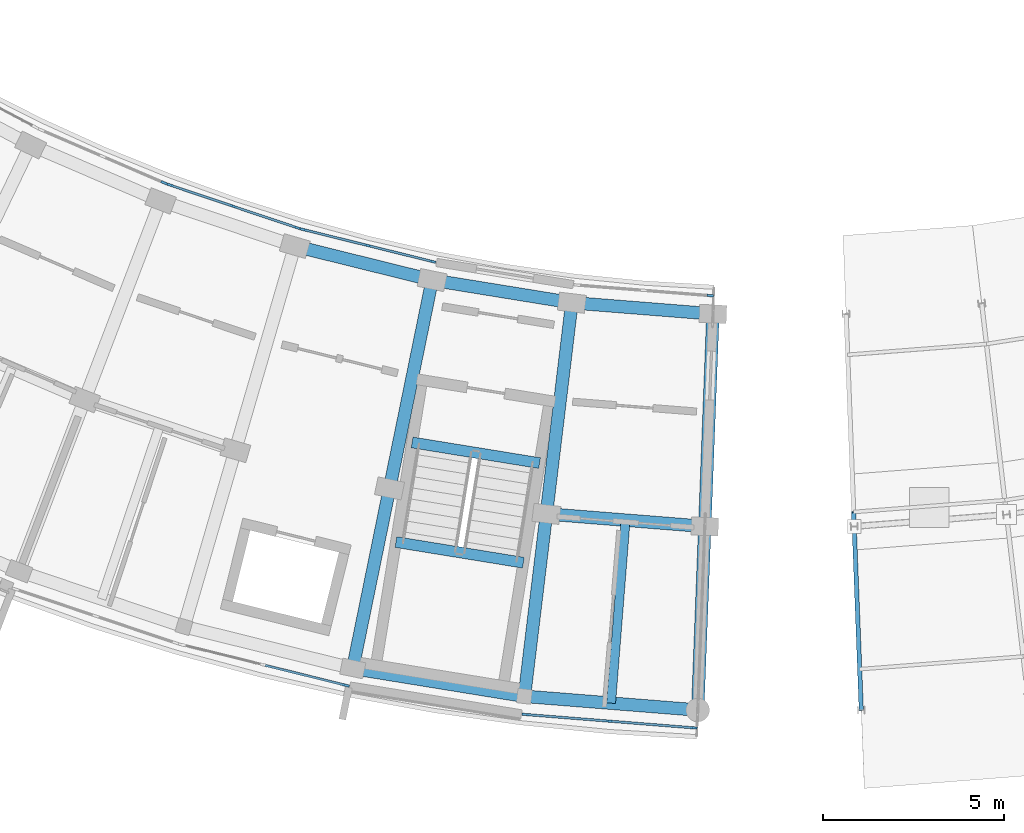
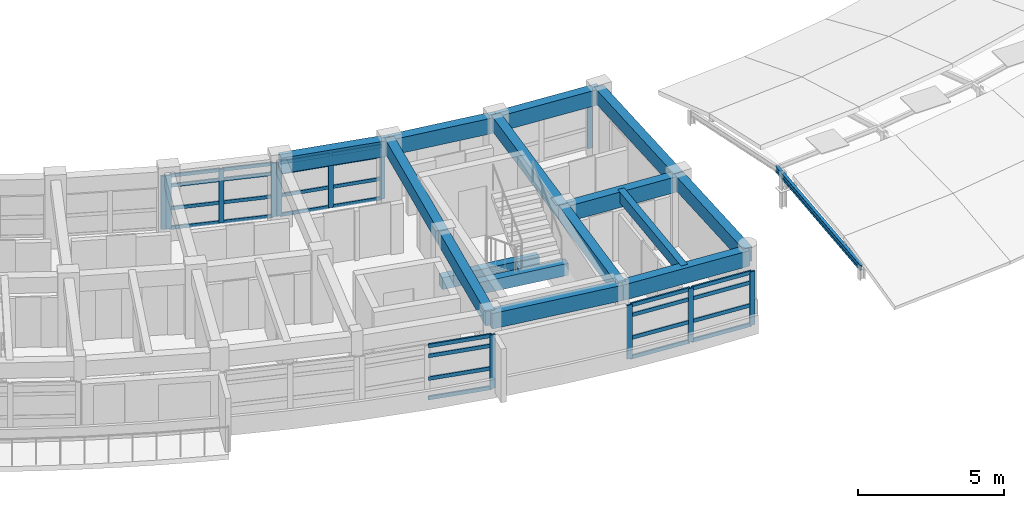
# One storey, part 17 of 50: 40 members, 16 beams, 6 elements without a shape of their own.
"""IFC4 building model written with IfcOpenShell, lengths in metres."""

from ifc_helpers import new_model, si_unit, direction, frame, origin, origin_2d, place, context, subcontext, project, spatial, rectangle, i_section, extrude, material, material_profile, profile_set, type_object, element, aggregate, save


model = new_model("IFC4")

# Units and contexts
model_context = context("Model", 3, precision=1e-05, world=origin(), true_north=direction((0.0, 1.0)))
body_context = subcontext(model_context, "Body", "Model", "MODEL_VIEW")
ifc_project = project(units=[si_unit("LENGTHUNIT", "METRE"), si_unit("AREAUNIT", "SQUARE_METRE"), si_unit("VOLUMEUNIT", "CUBIC_METRE"), si_unit("PLANEANGLEUNIT", "RADIAN"), si_unit("MASSUNIT", "GRAM", prefix="KILO")], contexts=[model_context])

# Site, building, storey
site_placement = place(None, origin())
site = spatial("IfcSite", under=ifc_project, at=site_placement, CompositionType="ELEMENT")
building_placement = place(site_placement, origin())
building = spatial("IfcBuilding", under=site, at=building_placement, Name="Zimvara Arc Housing Community", CompositionType="ELEMENT")
storey_placement = place(building_placement, frame((0.0, 0.0, 26.699951171875)))
storey = spatial("IfcBuildingStorey", under=building, at=storey_placement, Name="L08", CompositionType="ELEMENT", Elevation=26.699951171875)

# Beams
ifc_material_1 = material(Name="Concrete C40/50", Category="concrete")
ifc_material_profile_1 = material_profile(ifc_material_1, rectangle(XDim=0.25, YDim=0.449951171875, at=origin_2d()), Name="RC 250x450")
ifc_profile_set_1 = profile_set([ifc_material_profile_1], Name="Concrete C40/50")
beam_type_1 = type_object("IfcBeamType", Name="BM-RC-250x450", PredefinedType="JOIST", material=ifc_profile_set_1)
beam_1_placement = place(storey_placement, frame((121.72509765625, 56.2734375, 2.655029296875), z_axis=(-0.079171686291, -0.99686099537, 0.0), x_axis=(0.99686099537, -0.079171686291, 0.0)))
element("IfcBeam", 1, at=beam_1_placement, inside=storey, type_object=beam_type_1, Name="bm:blkC:L08:joist:b9", PredefinedType="JOIST", context=body_context, shape_type="SweptSolid", body=[
    extrude(rectangle(XDim=0.25, YDim=0.449951171875, at=origin_2d()), origin(), (0.0, 0.0, 1.0), 5.07568359375),
])
ifc_material_2 = material(Name="Concrete C40/50", Category="concrete")
ifc_material_profile_2 = material_profile(ifc_material_2, rectangle(XDim=0.300048828125, YDim=0.5, at=origin_2d()), Name="RC 300x500")
ifc_profile_set_2 = profile_set([ifc_material_profile_2], Name="Concrete C40/50")
beam_type_2 = type_object("IfcBeamType", Name="BM-RC-300x500", PredefinedType="BEAM", material=ifc_profile_set_2)
for number, where, z_axis, x_axis, name in (
    (2, (115.822265625, 58.423095703125, -0.25), (0.987080057935, -0.160227835371, 0.0), (0.160227835371, 0.987080057935, 0.0), "bm:stair_trim:ST-C2:L08:near"),
    (3, (115.375244140625, 55.6689453125, 1.300048828125), (0.987080057935, -0.160227835371, 0.0), (0.160227835371, 0.987080057935, 0.0), "bm:stair_trim:ST-C2:L08:mid"),
):
    element("IfcBeam", number, at=place(storey_placement, frame(where, z_axis=z_axis, x_axis=x_axis)), inside=storey, type_object=beam_type_2, Name=name, PredefinedType="BEAM", context=body_context, shape_type="SweptSolid", body=[
        extrude(rectangle(XDim=0.300048828125, YDim=0.5, at=origin_2d()), origin(), (0.0, 0.0, 1.0), 3.570068359375),
    ])
ifc_material_3 = material(Name="Concrete C40/50", Category="concrete")
ifc_material_profile_3 = material_profile(ifc_material_3, rectangle(XDim=0.35009765625, YDim=0.60009765625, at=origin_2d()), Name="RC 350x600")
ifc_profile_set_3 = profile_set([ifc_material_profile_3], Name="Concrete C40/50")
beam_type_3 = type_object("IfcBeamType", Name="BM-RC-350x600", PredefinedType="BEAM", material=ifc_profile_set_3)
beam_2_placement = place(storey_placement, frame((116.377197265625, 62.912109375, 2.580078125), z_axis=(-0.200417973989, -0.979710485655, 0.0), x_axis=(0.979710485655, -0.200417973989, 0.0)))
element("IfcBeam", 4, at=beam_2_placement, inside=storey, type_object=beam_type_3, Name="bm:blkC:L08:rad:b8:r12", PredefinedType="BEAM", context=body_context, shape_type="SweptSolid", body=[
    extrude(rectangle(XDim=0.35009765625, YDim=0.60009765625, at=origin_2d()), origin(), (0.0, 0.0, 1.0), 5.880126953125),
])
beam_3_placement = place(storey_placement, frame((115.19873046875, 57.1513671875, 2.580078125), z_axis=(-0.200356397601, -0.979723080233, 0.0), x_axis=(0.979723080233, -0.200356397601, 0.0)))
element("IfcBeam", 5, at=beam_3_placement, inside=storey, type_object=beam_type_3, Name="bm:blkC:L08:rad:b8:r23", PredefinedType="BEAM", context=body_context, shape_type="SweptSolid", body=[
    extrude(rectangle(XDim=0.35009765625, YDim=0.60009765625, at=origin_2d()), origin(), (0.0, 0.0, 1.0), 5.080078125),
])
beam_4_placement = place(storey_placement, frame((120.23974609375, 62.28515625, 2.580078125), z_axis=(-0.119786997154, -0.992799614884, 0.0), x_axis=(0.992799614884, -0.119786997154, 0.0)))
element("IfcBeam", 6, at=beam_4_placement, inside=storey, type_object=beam_type_3, Name="bm:blkC:L08:rad:b9:r12", PredefinedType="BEAM", context=body_context, shape_type="SweptSolid", body=[
    extrude(rectangle(XDim=0.35009765625, YDim=0.60009765625, at=origin_2d()), origin(), (0.0, 0.0, 1.0), 5.8798828125),
])
beam_5_placement = place(storey_placement, frame((119.535400390625, 56.447509765625, 2.580078125), z_axis=(-0.119810359757, -0.992796795772, 0.0), x_axis=(0.992796795772, -0.119810359757, 0.0)))
element("IfcBeam", 7, at=beam_5_placement, inside=storey, type_object=beam_type_3, Name="bm:blkC:L08:rad:b9:r23", PredefinedType="BEAM", context=body_context, shape_type="SweptSolid", body=[
    extrude(rectangle(XDim=0.35009765625, YDim=0.60009765625, at=origin_2d()), origin(), (0.0, 0.0, 1.0), 5.080078125),
])
beam_6_placement = place(storey_placement, frame((124.140380859375, 61.975341796875, 2.580078125), z_axis=(-0.038364555613, -0.999263809448, 0.0), x_axis=(0.999263809448, -0.038364555613, 0.0)))
element("IfcBeam", 8, at=beam_6_placement, inside=storey, type_object=beam_type_3, Name="bm:blkC:L08:rad:b10:r12", PredefinedType="BEAM", context=body_context, shape_type="SweptSolid", body=[
    extrude(rectangle(XDim=0.35009765625, YDim=0.60009765625, at=origin_2d()), origin(), (0.0, 0.0, 1.0), 5.880126953125),
])
beam_7_placement = place(storey_placement, frame((123.914794921875, 56.099609375, 2.580078125), z_axis=(-0.038399898954, -0.999262451892, 0.0), x_axis=(0.999262451892, -0.038399898954, 0.0)))
element("IfcBeam", 9, at=beam_7_placement, inside=storey, type_object=beam_type_3, Name="bm:blkC:L08:rad:b10:r23", PredefinedType="BEAM", context=body_context, shape_type="SweptSolid", body=[
    extrude(rectangle(XDim=0.35009765625, YDim=0.60009765625, at=origin_2d()), origin(), (0.0, 0.0, 1.0), 5.079833984375),
])
ifc_material_4 = material(Name="Concrete C40/50", Category="concrete")
ifc_material_profile_4 = material_profile(ifc_material_4, rectangle(XDim=0.35009765625, YDim=0.64990234375, at=origin_2d()), Name="RC 350x650")
ifc_profile_set_4 = profile_set([ifc_material_profile_4], Name="Concrete C40/50")
beam_type_4 = type_object("IfcBeamType", Name="BM-RC-350x650", PredefinedType="BEAM", material=ifc_profile_set_4)
for number, where, z_axis, x_axis, name in (
    (10, (112.57861328125, 63.85205078125, 2.554931640625), (0.970723220586, -0.240200809773, 0.0), (0.240200809773, 0.970723220586, 0.0), "bm:blkC:L08:chord:r1:b7"),
    (11, (116.377197265625, 62.912109375, 2.554931640625), (0.987081487371, -0.160219029111, 0.0), (0.160219029111, 0.987081487371, 0.0), "bm:blkC:L08:chord:r1:b8"),
):
    element("IfcBeam", number, at=place(storey_placement, frame(where, z_axis=z_axis, x_axis=x_axis)), inside=storey, type_object=beam_type_4, Name=name, PredefinedType="BEAM", context=body_context, shape_type="SweptSolid", body=[
        extrude(rectangle(XDim=0.35009765625, YDim=0.64990234375, at=origin_2d()), origin(), (0.0, 0.0, 1.0), 3.9130859375),
    ])
beam_8_placement = place(storey_placement, frame((120.23974609375, 62.28515625, 2.554931640625), z_axis=(0.99686054795, -0.079177319606, 0.0), x_axis=(0.079177319606, 0.99686054795, 0.0)))
element("IfcBeam", 12, at=beam_8_placement, inside=storey, type_object=beam_type_4, Name="bm:blkC:L08:chord:r1:b9", PredefinedType="BEAM", context=body_context, shape_type="SweptSolid", body=[
    extrude(rectangle(XDim=0.35009765625, YDim=0.64990234375, at=origin_2d()), origin(), (0.0, 0.0, 1.0), 3.912841796875),
])
beam_9_placement = place(storey_placement, frame((119.535400390625, 56.447509765625, 2.554931640625), z_axis=(0.996859476344, -0.079190810224, 0.0), x_axis=(0.079190810224, 0.996859476344, 0.0)))
element("IfcBeam", 13, at=beam_9_placement, inside=storey, type_object=beam_type_4, Name="bm:blkC:L08:chord:r2:b9", PredefinedType="BEAM", context=body_context, shape_type="SweptSolid", body=[
    extrude(rectangle(XDim=0.35009765625, YDim=0.64990234375, at=origin_2d()), origin(), (0.0, 0.0, 1.0), 4.393310546875),
])
beam_10_placement = place(storey_placement, frame((114.180908203125, 52.17431640625, 2.554931640625), z_axis=(0.987083566885, -0.160206217065, 0.0), x_axis=(0.160206217065, 0.987083566885, 0.0)))
element("IfcBeam", 14, at=beam_10_placement, inside=storey, type_object=beam_type_4, Name="bm:blkC:L08:chord:r3:b8", PredefinedType="BEAM", context=body_context, shape_type="SweptSolid", body=[
    extrude(rectangle(XDim=0.35009765625, YDim=0.64990234375, at=origin_2d()), origin(), (0.0, 0.0, 1.0), 4.807861328125),
])
beam_11_placement = place(storey_placement, frame((118.9267578125, 51.404052734375, 2.554931640625), z_axis=(0.996861768207, -0.0791619548, 0.0), x_axis=(0.0791619548, 0.996861768207, 0.0)))
element("IfcBeam", 15, at=beam_11_placement, inside=storey, type_object=beam_type_4, Name="bm:blkC:L08:chord:r3:b9", PredefinedType="BEAM", context=body_context, shape_type="SweptSolid", body=[
    extrude(rectangle(XDim=0.35009765625, YDim=0.64990234375, at=origin_2d()), origin(), (0.0, 0.0, 1.0), 4.80810546875),
])
ifc_material_5 = material(Name="Steel S355", Category="steel")
ifc_material_profile_5 = material_profile(ifc_material_5, i_section(OverallWidth=0.1201171875, OverallDepth=0.239990234375, WebThickness=0.006103515625, FlangeThickness=0.009765625, FilletRadius=0.014892578125, at=origin_2d()), Name="IPE 240")
ifc_profile_set_5 = profile_set([ifc_material_profile_5], Name="Steel S355")
beam_type_5 = type_object("IfcBeamType", Name="BM-ST-IPE240", PredefinedType="JOIST", material=ifc_profile_set_5)
beam_12_placement = place(storey_placement, frame((128.030029296875, 56.499267578125, 1.39501953125), z_axis=(0.037816076504, -0.985106596866, -0.16773472261), x_axis=(0.999264001686, 0.03835954815, 0.0)))
element("IfcBeam", 16, at=beam_12_placement, inside=storey, type_object=beam_type_5, Name="bm:blkD:L08:rf_out:g0", PredefinedType="JOIST", context=body_context, shape_type="SweptSolid", body=[
    extrude(i_section(OverallWidth=0.1201171875, OverallDepth=0.239990234375, WebThickness=0.006103515625, FlangeThickness=0.009765625, FilletRadius=0.014892578125, at=origin_2d()), origin(), (0.0, 0.0, 1.0), 5.55859375),
])

# Curtain wall, member
ifc_material_6 = material(Name="Anodised Aluminium AW-6063", Category="aluminium")
curtain_wall_type_1 = type_object("IfcCurtainWallType", Name="CW-SYS-06", PredefinedType="USERDEFINED", material=ifc_material_6)
curtain_wall_1_placement = place(storey_placement, origin())
curtain_wall_1 = element("IfcCurtainWall", 17, at=curtain_wall_1_placement, inside=storey, type_object=curtain_wall_type_1, Name="cw:blkC:L08:in:b5", ObjectType="CURTAIN WALL", PredefinedType="USERDEFINED")
ifc_material_7 = material(Name="Anodised Aluminium AW-6063", Category="aluminium")
ifc_material_profile_6 = material_profile(ifc_material_7, rectangle(XDim=0.06494140625, YDim=0.179931640625, at=origin_2d()), Name="ALU 65x180")
ifc_profile_set_6 = profile_set([ifc_material_profile_6], Name="Anodised Aluminium AW-6063")
member_type_1 = type_object("IfcMemberType", Name="CWM-65x150", PredefinedType="MULLION", material=ifc_profile_set_6)
member_1_placement = place(storey_placement, frame((108.963134765625, 65.6025390625, 0.0), z_axis=(0.0, 0.0, 1.0), x_axis=(0.394903951674, 0.918722411261, 0.0)))
member_1 = element("IfcMember", 18, at=member_1_placement, type_object=member_type_1, Name="CW06 mullion 3", PredefinedType="MULLION", context=body_context, shape_type="SweptSolid", body=[
    extrude(rectangle(XDim=0.06494140625, YDim=0.179931640625, at=origin_2d()), origin(), (0.0, 0.0, 1.0), 2.25),
])
aggregate(curtain_wall_1, [member_1])

# Curtain wall, members
ifc_material_8 = material(Name="Anodised Aluminium AW-6063", Category="aluminium")
curtain_wall_type_2 = type_object("IfcCurtainWallType", Name="CW-SYS-08", PredefinedType="USERDEFINED", material=ifc_material_8)
curtain_wall_2_placement = place(storey_placement, origin())
curtain_wall_2 = element("IfcCurtainWall", 19, at=curtain_wall_2_placement, inside=storey, type_object=curtain_wall_type_2, Name="cw:blkC:L08:in:b6", ObjectType="CURTAIN WALL", PredefinedType="USERDEFINED")
member_2_placement = place(storey_placement, frame((109.1357421875, 65.536376953125, 0.0), z_axis=(0.0, 0.0, 1.0), x_axis=(0.318626909491, 0.94788021002, 0.0)))
member_2 = element("IfcMember", 20, at=member_2_placement, type_object=member_type_1, Name="CW08 mullion 1", PredefinedType="MULLION", context=body_context, shape_type="SweptSolid", body=[
    extrude(rectangle(XDim=0.06494140625, YDim=0.179931640625, at=origin_2d()), origin(), (0.0, 0.0, 1.0), 2.25),
])
member_3_placement = place(storey_placement, frame((110.88330078125, 64.948974609375, 0.0), z_axis=(0.0, 0.0, 1.0), x_axis=(0.318626909491, 0.94788021002, 0.0)))
member_3 = element("IfcMember", 21, at=member_3_placement, type_object=member_type_1, Name="CW08 mullion 2", PredefinedType="MULLION", context=body_context, shape_type="SweptSolid", body=[
    extrude(rectangle(XDim=0.06494140625, YDim=0.179931640625, at=origin_2d()), origin(), (0.0, 0.0, 1.0), 2.25),
])
member_4_placement = place(storey_placement, frame((112.630859375, 64.361572265625, 0.0), z_axis=(0.0, 0.0, 1.0), x_axis=(0.318626909491, 0.94788021002, 0.0)))
member_4 = element("IfcMember", 22, at=member_4_placement, type_object=member_type_1, Name="CW08 mullion 3", PredefinedType="MULLION", context=body_context, shape_type="SweptSolid", body=[
    extrude(rectangle(XDim=0.06494140625, YDim=0.179931640625, at=origin_2d()), origin(), (0.0, 0.0, 1.0), 2.25),
])

ifc_material_9 = material(Name="Anodised Aluminium AW-6063", Category="aluminium")
curtain_wall_type_3 = type_object("IfcCurtainWallType", Name="CW-SYS-02", PredefinedType="USERDEFINED", material=ifc_material_9)
curtain_wall_3_placement = place(storey_placement, origin())
curtain_wall_3 = element("IfcCurtainWall", 23, at=curtain_wall_3_placement, inside=storey, type_object=curtain_wall_type_3, Name="cw:blkC:L08:in:b7", ObjectType="CURTAIN WALL", PredefinedType="USERDEFINED")
member_5_placement = place(storey_placement, frame((112.808349609375, 64.309814453125, 0.0), z_axis=(0.0, 0.0, 1.0), x_axis=(0.240229186313, 0.970716198507, 0.0)))
member_5 = element("IfcMember", 24, at=member_5_placement, type_object=member_type_1, Name="CW02 mullion 1", PredefinedType="MULLION", context=body_context, shape_type="SweptSolid", body=[
    extrude(rectangle(XDim=0.06494140625, YDim=0.179931640625, at=origin_2d()), origin(), (0.0, 0.0, 1.0), 2.25),
])
member_6_placement = place(storey_placement, frame((114.597900390625, 63.866943359375, 0.0), z_axis=(0.0, 0.0, 1.0), x_axis=(0.240229186313, 0.970716198507, 0.0)))
member_6 = element("IfcMember", 25, at=member_6_placement, type_object=member_type_1, Name="CW02 mullion 2", PredefinedType="MULLION", context=body_context, shape_type="SweptSolid", body=[
    extrude(rectangle(XDim=0.06494140625, YDim=0.179931640625, at=origin_2d()), origin(), (0.0, 0.0, 1.0), 2.25),
])
member_7_placement = place(storey_placement, frame((116.387451171875, 63.424072265625, 0.0), z_axis=(0.0, 0.0, 1.0), x_axis=(0.240229186313, 0.970716198507, 0.0)))
member_7 = element("IfcMember", 26, at=member_7_placement, type_object=member_type_1, Name="CW02 mullion 3", PredefinedType="MULLION", context=body_context, shape_type="SweptSolid", body=[
    extrude(rectangle(XDim=0.06494140625, YDim=0.179931640625, at=origin_2d()), origin(), (0.0, 0.0, 1.0), 2.25),
])

# Curtain wall, member
ifc_material_10 = material(Name="Anodised Aluminium AW-6063", Category="aluminium")
curtain_wall_type_4 = type_object("IfcCurtainWallType", Name="CW-SYS-04", PredefinedType="USERDEFINED", material=ifc_material_10)
curtain_wall_4_placement = place(storey_placement, origin())
curtain_wall_4 = element("IfcCurtainWall", 27, at=curtain_wall_4_placement, inside=storey, type_object=curtain_wall_type_4, Name="cw:blkC:L08:in:b9", ObjectType="CURTAIN WALL", PredefinedType="USERDEFINED")
member_8_placement = place(storey_placement, frame((124.0673828125, 62.482177734375, 0.0), z_axis=(0.0, 0.0, 1.0), x_axis=(0.079155101851, 0.996862312384, 0.0)))
member_8 = element("IfcMember", 28, at=member_8_placement, type_object=member_type_1, Name="CW04 mullion 3", PredefinedType="MULLION", context=body_context, shape_type="SweptSolid", body=[
    extrude(rectangle(XDim=0.06494140625, YDim=0.179931640625, at=origin_2d()), origin(), (0.0, 0.0, 1.0), 2.25),
])
aggregate(curtain_wall_4, [member_8])

ifc_material_11 = material(Name="Anodised Aluminium AW-6063", Category="aluminium")
curtain_wall_type_5 = type_object("IfcCurtainWallType", Name="CW-SYS-01", PredefinedType="USERDEFINED", material=ifc_material_11)
curtain_wall_5_placement = place(storey_placement, origin())
curtain_wall_5 = element("IfcCurtainWall", 29, at=curtain_wall_5_placement, inside=storey, type_object=curtain_wall_type_5, Name="cw:blkC:L08:out:b7", ObjectType="CURTAIN WALL", PredefinedType="USERDEFINED")
ifc_material_12 = material(Name="Anodised Aluminium AW-6063", Category="aluminium")
ifc_material_profile_7 = material_profile(ifc_material_12, rectangle(XDim=0.06494140625, YDim=0.195068359375, at=origin_2d()), Name="ALU 65x195")
ifc_profile_set_7 = profile_set([ifc_material_profile_7], Name="Anodised Aluminium AW-6063")
member_type_2 = type_object("IfcMemberType", Name="CWM-65x180", PredefinedType="MULLION", material=ifc_profile_set_7)
member_9_placement = place(storey_placement, frame((113.99072265625, 51.706787109375, 0.0), z_axis=(0.0, 0.0, 1.0), x_axis=(0.240229711131, 0.970716068627, 0.0)))
member_9 = element("IfcMember", 30, at=member_9_placement, type_object=member_type_2, Name="CW01 mullion 3", PredefinedType="MULLION", context=body_context, shape_type="SweptSolid", body=[
    extrude(rectangle(XDim=0.06494140625, YDim=0.195068359375, at=origin_2d()), origin(), (0.0, 0.0, 1.0), 2.25),
])

# Curtain wall, members
ifc_material_13 = material(Name="Anodised Aluminium AW-6063", Category="aluminium")
curtain_wall_type_6 = type_object("IfcCurtainWallType", Name="CW-SYS-03", PredefinedType="USERDEFINED", material=ifc_material_13)
curtain_wall_6_placement = place(storey_placement, origin())
curtain_wall_6 = element("IfcCurtainWall", 31, at=curtain_wall_6_placement, inside=storey, type_object=curtain_wall_type_6, Name="cw:blkC:L08:out:b9", ObjectType="CURTAIN WALL", PredefinedType="USERDEFINED")
member_10_placement = place(storey_placement, frame((118.958984375, 50.900146484375, 0.0), z_axis=(0.0, 0.0, 1.0), x_axis=(0.079153759607, 0.996862418963, 0.0)))
member_10 = element("IfcMember", 32, at=member_10_placement, type_object=member_type_2, Name="CW03 mullion 1", PredefinedType="MULLION", context=body_context, shape_type="SweptSolid", body=[
    extrude(rectangle(XDim=0.06494140625, YDim=0.195068359375, at=origin_2d()), origin(), (0.0, 0.0, 1.0), 2.25),
])
member_11_placement = place(storey_placement, frame((121.28369140625, 50.715576171875, 0.0), z_axis=(0.0, 0.0, 1.0), x_axis=(0.079153759607, 0.996862418963, 0.0)))
member_11 = element("IfcMember", 33, at=member_11_placement, type_object=member_type_2, Name="CW03 mullion 2", PredefinedType="MULLION", context=body_context, shape_type="SweptSolid", body=[
    extrude(rectangle(XDim=0.06494140625, YDim=0.195068359375, at=origin_2d()), origin(), (0.0, 0.0, 1.0), 2.25),
])
member_12_placement = place(storey_placement, frame((123.6083984375, 50.531005859375, 0.0), z_axis=(0.0, 0.0, 1.0), x_axis=(0.079153759607, 0.996862418963, 0.0)))
member_12 = element("IfcMember", 34, at=member_12_placement, type_object=member_type_2, Name="CW03 mullion 3", PredefinedType="MULLION", context=body_context, shape_type="SweptSolid", body=[
    extrude(rectangle(XDim=0.06494140625, YDim=0.195068359375, at=origin_2d()), origin(), (0.0, 0.0, 1.0), 2.25),
])

# Member
ifc_material_14 = material(Name="Anodised Aluminium AW-6063", Category="aluminium")
ifc_material_profile_8 = material_profile(ifc_material_14, rectangle(XDim=0.06494140625, YDim=0.139892578125, at=origin_2d()), Name="ALU 65x140")
ifc_profile_set_8 = profile_set([ifc_material_profile_8], Name="Anodised Aluminium AW-6063")
member_type_3 = type_object("IfcMemberType", Name="CWT-65x120", PredefinedType="USERDEFINED", material=ifc_profile_set_8)
member_13_placement = place(storey_placement, frame((109.16650390625, 65.526123046875, 0.032470703125), z_axis=(0.947898028739, -0.318573895845, 0.0), x_axis=(0.318573895845, 0.947898028739, 0.0)))
member_13 = element("IfcMember", 35, at=member_13_placement, type_object=member_type_3, Name="CW08 transom 1.1", ObjectType="TRANSOM", PredefinedType="USERDEFINED", context=body_context, shape_type="SweptSolid", body=[
    extrude(rectangle(XDim=0.06494140625, YDim=0.139892578125, at=origin_2d()), origin(), (0.0, 0.0, 1.0), 1.77880859375),
])

member_14_placement = place(storey_placement, frame((109.16650390625, 65.526123046875, 0.85009765625), z_axis=(0.947898028739, -0.318573895845, 0.0), x_axis=(0.318573895845, 0.947898028739, 0.0)))
member_14 = element("IfcMember", 36, at=member_14_placement, type_object=member_type_3, Name="CW08 transom 1.2", ObjectType="TRANSOM", PredefinedType="USERDEFINED", context=body_context, shape_type="SweptSolid", body=[
    extrude(rectangle(XDim=0.06494140625, YDim=0.139892578125, at=origin_2d()), origin(), (0.0, 0.0, 1.0), 1.77880859375),
])

member_15_placement = place(storey_placement, frame((109.16650390625, 65.526123046875, 1.800048828125), z_axis=(0.947898028739, -0.318573895845, 0.0), x_axis=(0.318573895845, 0.947898028739, 0.0)))
member_15 = element("IfcMember", 37, at=member_15_placement, type_object=member_type_3, Name="CW08 transom 1.3", ObjectType="TRANSOM", PredefinedType="USERDEFINED", context=body_context, shape_type="SweptSolid", body=[
    extrude(rectangle(XDim=0.06494140625, YDim=0.139892578125, at=origin_2d()), origin(), (0.0, 0.0, 1.0), 1.77880859375),
])

member_16_placement = place(storey_placement, frame((109.16650390625, 65.526123046875, 2.217529296875), z_axis=(0.947898028739, -0.318573895845, 0.0), x_axis=(0.318573895845, 0.947898028739, 0.0)))
member_16 = element("IfcMember", 38, at=member_16_placement, type_object=member_type_3, Name="CW08 transom 1.4", ObjectType="TRANSOM", PredefinedType="USERDEFINED", context=body_context, shape_type="SweptSolid", body=[
    extrude(rectangle(XDim=0.06494140625, YDim=0.139892578125, at=origin_2d()), origin(), (0.0, 0.0, 1.0), 1.77880859375),
])

member_17_placement = place(storey_placement, frame((110.9140625, 64.938720703125, 0.032470703125), z_axis=(0.947884095882, -0.318615349246, 0.0), x_axis=(0.318615349246, 0.947884095882, 0.0)))
member_17 = element("IfcMember", 39, at=member_17_placement, type_object=member_type_3, Name="CW08 transom 2.1", ObjectType="TRANSOM", PredefinedType="USERDEFINED", context=body_context, shape_type="SweptSolid", body=[
    extrude(rectangle(XDim=0.06494140625, YDim=0.139892578125, at=origin_2d()), origin(), (0.0, 0.0, 1.0), 1.778564453125),
])

member_18_placement = place(storey_placement, frame((110.9140625, 64.938720703125, 0.85009765625), z_axis=(0.947884095882, -0.318615349246, 0.0), x_axis=(0.318615349246, 0.947884095882, 0.0)))
member_18 = element("IfcMember", 40, at=member_18_placement, type_object=member_type_3, Name="CW08 transom 2.2", ObjectType="TRANSOM", PredefinedType="USERDEFINED", context=body_context, shape_type="SweptSolid", body=[
    extrude(rectangle(XDim=0.06494140625, YDim=0.139892578125, at=origin_2d()), origin(), (0.0, 0.0, 1.0), 1.778564453125),
])

member_19_placement = place(storey_placement, frame((110.9140625, 64.938720703125, 1.800048828125), z_axis=(0.947884095882, -0.318615349246, 0.0), x_axis=(0.318615349246, 0.947884095882, 0.0)))
member_19 = element("IfcMember", 41, at=member_19_placement, type_object=member_type_3, Name="CW08 transom 2.3", ObjectType="TRANSOM", PredefinedType="USERDEFINED", context=body_context, shape_type="SweptSolid", body=[
    extrude(rectangle(XDim=0.06494140625, YDim=0.139892578125, at=origin_2d()), origin(), (0.0, 0.0, 1.0), 1.778564453125),
])

member_20_placement = place(storey_placement, frame((110.9140625, 64.938720703125, 2.217529296875), z_axis=(0.947884095882, -0.318615349246, 0.0), x_axis=(0.318615349246, 0.947884095882, 0.0)))
member_20 = element("IfcMember", 42, at=member_20_placement, type_object=member_type_3, Name="CW08 transom 2.4", ObjectType="TRANSOM", PredefinedType="USERDEFINED", context=body_context, shape_type="SweptSolid", body=[
    extrude(rectangle(XDim=0.06494140625, YDim=0.139892578125, at=origin_2d()), origin(), (0.0, 0.0, 1.0), 1.778564453125),
])

aggregate(curtain_wall_2, [member_2, member_3, member_4, member_13, member_14, member_15, member_16, member_17, member_18, member_19, member_20])

member_21_placement = place(storey_placement, frame((112.83984375, 64.302001953125, 0.032470703125), z_axis=(0.970721060666, -0.240209538485, 0.0), x_axis=(0.240209538485, 0.970721060666, 0.0)))
member_21 = element("IfcMember", 43, at=member_21_placement, type_object=member_type_3, Name="CW02 transom 1.1", ObjectType="TRANSOM", PredefinedType="USERDEFINED", context=body_context, shape_type="SweptSolid", body=[
    extrude(rectangle(XDim=0.06494140625, YDim=0.139892578125, at=origin_2d()), origin(), (0.0, 0.0, 1.0), 1.778564453125),
])

member_22_placement = place(storey_placement, frame((112.83984375, 64.302001953125, 0.85009765625), z_axis=(0.970721060666, -0.240209538485, 0.0), x_axis=(0.240209538485, 0.970721060666, 0.0)))
member_22 = element("IfcMember", 44, at=member_22_placement, type_object=member_type_3, Name="CW02 transom 1.2", ObjectType="TRANSOM", PredefinedType="USERDEFINED", context=body_context, shape_type="SweptSolid", body=[
    extrude(rectangle(XDim=0.06494140625, YDim=0.139892578125, at=origin_2d()), origin(), (0.0, 0.0, 1.0), 1.778564453125),
])

member_23_placement = place(storey_placement, frame((112.83984375, 64.302001953125, 1.800048828125), z_axis=(0.970721060666, -0.240209538485, 0.0), x_axis=(0.240209538485, 0.970721060666, 0.0)))
member_23 = element("IfcMember", 45, at=member_23_placement, type_object=member_type_3, Name="CW02 transom 1.3", ObjectType="TRANSOM", PredefinedType="USERDEFINED", context=body_context, shape_type="SweptSolid", body=[
    extrude(rectangle(XDim=0.06494140625, YDim=0.139892578125, at=origin_2d()), origin(), (0.0, 0.0, 1.0), 1.778564453125),
])

member_24_placement = place(storey_placement, frame((112.83984375, 64.302001953125, 2.217529296875), z_axis=(0.970721060666, -0.240209538485, 0.0), x_axis=(0.240209538485, 0.970721060666, 0.0)))
member_24 = element("IfcMember", 46, at=member_24_placement, type_object=member_type_3, Name="CW02 transom 1.4", ObjectType="TRANSOM", PredefinedType="USERDEFINED", context=body_context, shape_type="SweptSolid", body=[
    extrude(rectangle(XDim=0.06494140625, YDim=0.139892578125, at=origin_2d()), origin(), (0.0, 0.0, 1.0), 1.778564453125),
])

member_25_placement = place(storey_placement, frame((114.62939453125, 63.859130859375, 0.032470703125), z_axis=(0.970721060666, -0.240209538485, 0.0), x_axis=(0.240209538485, 0.970721060666, 0.0)))
member_25 = element("IfcMember", 47, at=member_25_placement, type_object=member_type_3, Name="CW02 transom 2.1", ObjectType="TRANSOM", PredefinedType="USERDEFINED", context=body_context, shape_type="SweptSolid", body=[
    extrude(rectangle(XDim=0.06494140625, YDim=0.139892578125, at=origin_2d()), origin(), (0.0, 0.0, 1.0), 1.778564453125),
])

member_26_placement = place(storey_placement, frame((114.62939453125, 63.859130859375, 0.85009765625), z_axis=(0.970721060666, -0.240209538485, 0.0), x_axis=(0.240209538485, 0.970721060666, 0.0)))
member_26 = element("IfcMember", 48, at=member_26_placement, type_object=member_type_3, Name="CW02 transom 2.2", ObjectType="TRANSOM", PredefinedType="USERDEFINED", context=body_context, shape_type="SweptSolid", body=[
    extrude(rectangle(XDim=0.06494140625, YDim=0.139892578125, at=origin_2d()), origin(), (0.0, 0.0, 1.0), 1.778564453125),
])

member_27_placement = place(storey_placement, frame((114.62939453125, 63.859130859375, 1.800048828125), z_axis=(0.970721060666, -0.240209538485, 0.0), x_axis=(0.240209538485, 0.970721060666, 0.0)))
member_27 = element("IfcMember", 49, at=member_27_placement, type_object=member_type_3, Name="CW02 transom 2.3", ObjectType="TRANSOM", PredefinedType="USERDEFINED", context=body_context, shape_type="SweptSolid", body=[
    extrude(rectangle(XDim=0.06494140625, YDim=0.139892578125, at=origin_2d()), origin(), (0.0, 0.0, 1.0), 1.778564453125),
])

member_28_placement = place(storey_placement, frame((114.62939453125, 63.859130859375, 2.217529296875), z_axis=(0.970721060666, -0.240209538485, 0.0), x_axis=(0.240209538485, 0.970721060666, 0.0)))
member_28 = element("IfcMember", 50, at=member_28_placement, type_object=member_type_3, Name="CW02 transom 2.4", ObjectType="TRANSOM", PredefinedType="USERDEFINED", context=body_context, shape_type="SweptSolid", body=[
    extrude(rectangle(XDim=0.06494140625, YDim=0.139892578125, at=origin_2d()), origin(), (0.0, 0.0, 1.0), 1.778564453125),
])

aggregate(curtain_wall_3, [member_5, member_6, member_7, member_21, member_22, member_23, member_24, member_25, member_26, member_27, member_28])

ifc_material_15 = material(Name="Anodised Aluminium AW-6063", Category="aluminium")
ifc_material_profile_9 = material_profile(ifc_material_15, rectangle(XDim=0.06494140625, YDim=0.155029296875, at=origin_2d()), Name="ALU 65x155")
ifc_profile_set_9 = profile_set([ifc_material_profile_9], Name="Anodised Aluminium AW-6063")
member_type_4 = type_object("IfcMemberType", Name="CWT-65x140", PredefinedType="USERDEFINED", material=ifc_profile_set_9)
member_29_placement = place(storey_placement, frame((111.7587890625, 52.259033203125, 0.032470703125), z_axis=(0.970728837212, -0.240178110172, 0.0), x_axis=(0.240178110172, 0.970728837212, 0.0)))
member_29 = element("IfcMember", 51, at=member_29_placement, type_object=member_type_4, Name="CW01 transom 2.1", ObjectType="TRANSOM", PredefinedType="USERDEFINED", context=body_context, shape_type="SweptSolid", body=[
    extrude(rectangle(XDim=0.06494140625, YDim=0.155029296875, at=origin_2d()), origin(), (0.0, 0.0, 1.0), 2.266845703125),
])

member_30_placement = place(storey_placement, frame((111.7587890625, 52.259033203125, 0.85009765625), z_axis=(0.970728837212, -0.240178110172, 0.0), x_axis=(0.240178110172, 0.970728837212, 0.0)))
member_30 = element("IfcMember", 52, at=member_30_placement, type_object=member_type_4, Name="CW01 transom 2.2", ObjectType="TRANSOM", PredefinedType="USERDEFINED", context=body_context, shape_type="SweptSolid", body=[
    extrude(rectangle(XDim=0.06494140625, YDim=0.155029296875, at=origin_2d()), origin(), (0.0, 0.0, 1.0), 2.266845703125),
])

member_31_placement = place(storey_placement, frame((111.7587890625, 52.259033203125, 1.800048828125), z_axis=(0.970728837212, -0.240178110172, 0.0), x_axis=(0.240178110172, 0.970728837212, 0.0)))
member_31 = element("IfcMember", 53, at=member_31_placement, type_object=member_type_4, Name="CW01 transom 2.3", ObjectType="TRANSOM", PredefinedType="USERDEFINED", context=body_context, shape_type="SweptSolid", body=[
    extrude(rectangle(XDim=0.06494140625, YDim=0.155029296875, at=origin_2d()), origin(), (0.0, 0.0, 1.0), 2.266845703125),
])

member_32_placement = place(storey_placement, frame((111.7587890625, 52.259033203125, 2.217529296875), z_axis=(0.970728837212, -0.240178110172, 0.0), x_axis=(0.240178110172, 0.970728837212, 0.0)))
member_32 = element("IfcMember", 54, at=member_32_placement, type_object=member_type_4, Name="CW01 transom 2.4", ObjectType="TRANSOM", PredefinedType="USERDEFINED", context=body_context, shape_type="SweptSolid", body=[
    extrude(rectangle(XDim=0.06494140625, YDim=0.155029296875, at=origin_2d()), origin(), (0.0, 0.0, 1.0), 2.266845703125),
])

aggregate(curtain_wall_5, [member_9, member_29, member_30, member_31, member_32])

member_33_placement = place(storey_placement, frame((118.991455078125, 50.897705078125, 0.032470703125), z_axis=(0.996862021022, -0.079158771116, 0.0), x_axis=(0.079158771116, 0.996862021022, 0.0)))
member_33 = element("IfcMember", 55, at=member_33_placement, type_object=member_type_4, Name="CW03 transom 1.1", ObjectType="TRANSOM", PredefinedType="USERDEFINED", context=body_context, shape_type="SweptSolid", body=[
    extrude(rectangle(XDim=0.06494140625, YDim=0.155029296875, at=origin_2d()), origin(), (0.0, 0.0, 1.0), 2.266845703125),
])

member_34_placement = place(storey_placement, frame((118.991455078125, 50.897705078125, 0.85009765625), z_axis=(0.996862021022, -0.079158771116, 0.0), x_axis=(0.079158771116, 0.996862021022, 0.0)))
member_34 = element("IfcMember", 56, at=member_34_placement, type_object=member_type_4, Name="CW03 transom 1.2", ObjectType="TRANSOM", PredefinedType="USERDEFINED", context=body_context, shape_type="SweptSolid", body=[
    extrude(rectangle(XDim=0.06494140625, YDim=0.155029296875, at=origin_2d()), origin(), (0.0, 0.0, 1.0), 2.266845703125),
])

member_35_placement = place(storey_placement, frame((118.991455078125, 50.897705078125, 1.800048828125), z_axis=(0.996862021022, -0.079158771116, 0.0), x_axis=(0.079158771116, 0.996862021022, 0.0)))
member_35 = element("IfcMember", 57, at=member_35_placement, type_object=member_type_4, Name="CW03 transom 1.3", ObjectType="TRANSOM", PredefinedType="USERDEFINED", context=body_context, shape_type="SweptSolid", body=[
    extrude(rectangle(XDim=0.06494140625, YDim=0.155029296875, at=origin_2d()), origin(), (0.0, 0.0, 1.0), 2.266845703125),
])

member_36_placement = place(storey_placement, frame((118.991455078125, 50.897705078125, 2.217529296875), z_axis=(0.996862021022, -0.079158771116, 0.0), x_axis=(0.079158771116, 0.996862021022, 0.0)))
member_36 = element("IfcMember", 58, at=member_36_placement, type_object=member_type_4, Name="CW03 transom 1.4", ObjectType="TRANSOM", PredefinedType="USERDEFINED", context=body_context, shape_type="SweptSolid", body=[
    extrude(rectangle(XDim=0.06494140625, YDim=0.155029296875, at=origin_2d()), origin(), (0.0, 0.0, 1.0), 2.266845703125),
])

member_37_placement = place(storey_placement, frame((121.316162109375, 50.713134765625, 0.032470703125), z_axis=(0.996862021022, -0.079158771116, 0.0), x_axis=(0.079158771116, 0.996862021022, 0.0)))
member_37 = element("IfcMember", 59, at=member_37_placement, type_object=member_type_4, Name="CW03 transom 2.1", ObjectType="TRANSOM", PredefinedType="USERDEFINED", context=body_context, shape_type="SweptSolid", body=[
    extrude(rectangle(XDim=0.06494140625, YDim=0.155029296875, at=origin_2d()), origin(), (0.0, 0.0, 1.0), 2.266845703125),
])

member_38_placement = place(storey_placement, frame((121.316162109375, 50.713134765625, 0.85009765625), z_axis=(0.996862021022, -0.079158771116, 0.0), x_axis=(0.079158771116, 0.996862021022, 0.0)))
member_38 = element("IfcMember", 60, at=member_38_placement, type_object=member_type_4, Name="CW03 transom 2.2", ObjectType="TRANSOM", PredefinedType="USERDEFINED", context=body_context, shape_type="SweptSolid", body=[
    extrude(rectangle(XDim=0.06494140625, YDim=0.155029296875, at=origin_2d()), origin(), (0.0, 0.0, 1.0), 2.266845703125),
])

member_39_placement = place(storey_placement, frame((121.316162109375, 50.713134765625, 1.800048828125), z_axis=(0.996862021022, -0.079158771116, 0.0), x_axis=(0.079158771116, 0.996862021022, 0.0)))
member_39 = element("IfcMember", 61, at=member_39_placement, type_object=member_type_4, Name="CW03 transom 2.3", ObjectType="TRANSOM", PredefinedType="USERDEFINED", context=body_context, shape_type="SweptSolid", body=[
    extrude(rectangle(XDim=0.06494140625, YDim=0.155029296875, at=origin_2d()), origin(), (0.0, 0.0, 1.0), 2.266845703125),
])

member_40_placement = place(storey_placement, frame((121.316162109375, 50.713134765625, 2.217529296875), z_axis=(0.996862021022, -0.079158771116, 0.0), x_axis=(0.079158771116, 0.996862021022, 0.0)))
member_40 = element("IfcMember", 62, at=member_40_placement, type_object=member_type_4, Name="CW03 transom 2.4", ObjectType="TRANSOM", PredefinedType="USERDEFINED", context=body_context, shape_type="SweptSolid", body=[
    extrude(rectangle(XDim=0.06494140625, YDim=0.155029296875, at=origin_2d()), origin(), (0.0, 0.0, 1.0), 2.266845703125),
])

aggregate(curtain_wall_6, [member_10, member_11, member_12, member_33, member_34, member_35, member_36, member_37, member_38, member_39, member_40])

save(model, "model.ifc")
